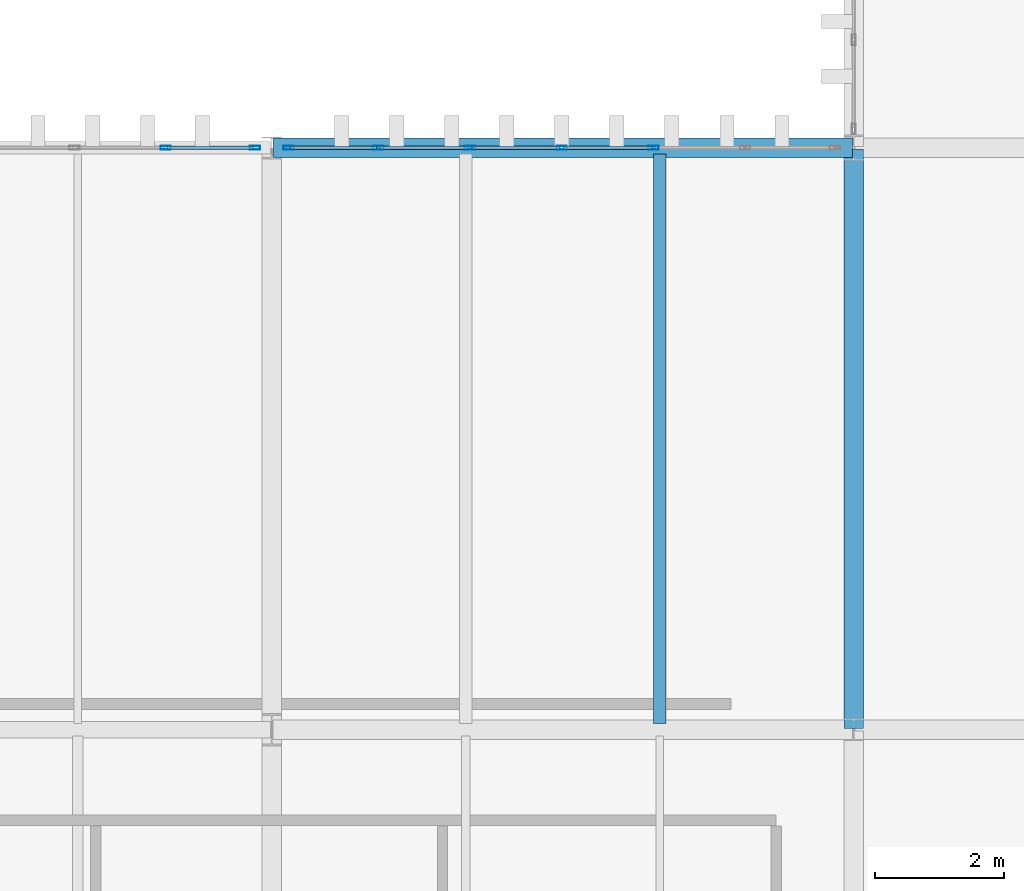
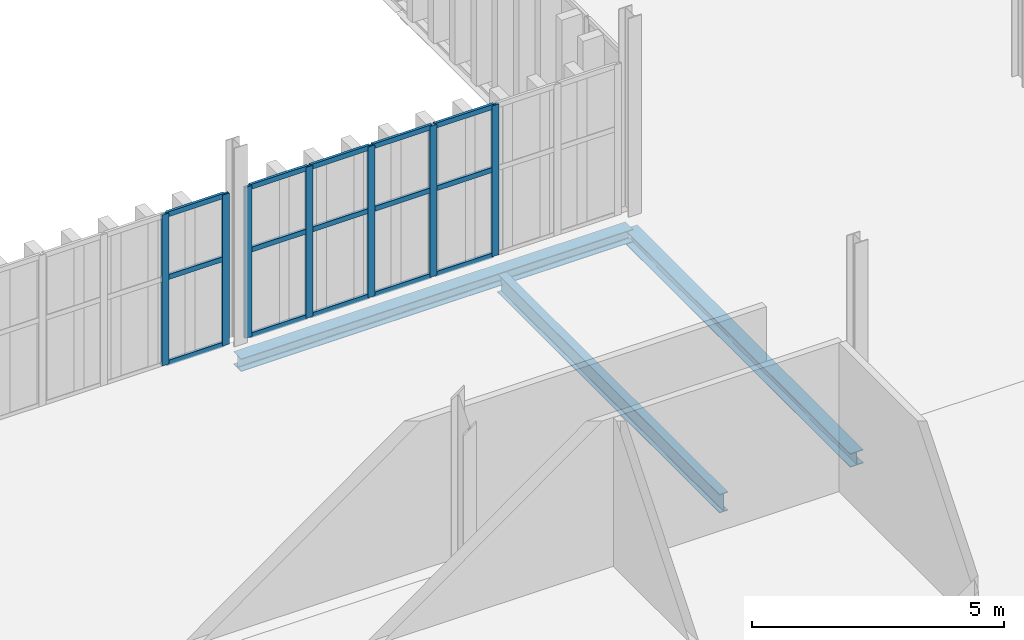
# One storey, part 121 of 196: 22 members, 3 beams, 2 elements without a shape of their own.
"""IFC4 building model written with IfcOpenShell, lengths in metres."""

from ifc_helpers import new_model, si_unit, direction, frame, origin, origin_2d, place, context, subcontext, project, spatial, hollow_rectangle, i_section, extrude, material, layer, layer_set, material_profile, profile_set, type_object, element, aggregate, save


model = new_model("IFC4")

# Units and contexts
model_context = context("Model", 3, precision=1e-05, world=origin(), true_north=direction((0.0, 1.0)))
body_context = subcontext(model_context, "Body", "Model", "MODEL_VIEW")
ifc_project = project(units=[si_unit("LENGTHUNIT", "METRE"), si_unit("AREAUNIT", "SQUARE_METRE"), si_unit("VOLUMEUNIT", "CUBIC_METRE"), si_unit("PLANEANGLEUNIT", "RADIAN"), si_unit("MASSUNIT", "GRAM", prefix="KILO")], contexts=[model_context])

# Site, building, storey
site_placement = place(None, origin())
site = spatial("IfcSite", under=ifc_project, at=site_placement, CompositionType="ELEMENT")
building_placement = place(site_placement, origin())
building = spatial("IfcBuilding", under=site, at=building_placement, Name="Barlavento Convention Centre", CompositionType="ELEMENT")
storey_placement = place(building_placement, frame((0.0, 0.0, 18.0)))
storey = spatial("IfcBuildingStorey", under=building, at=storey_placement, Name="L03", CompositionType="ELEMENT", Elevation=18.0)

# Curtain wall, members
ifc_material_1 = material(Name="Powder-coated aluminium and Low-E glass", Category="aluminium")
ifc_layer = layer(ifc_material_1, 0.179931640625)
ifc_layer_set = layer_set([ifc_layer], Name="ARC-CW-PATIO-B")
curtain_wall_type = type_object("IfcCurtainWallType", Name="ARC-CW-PATIO-B", PredefinedType="NOTDEFINED", material=ifc_layer_set)
curtain_wall_1_placement = place(storey_placement, origin())
curtain_wall_1 = element("IfcCurtainWall", 1, at=curtain_wall_1_placement, inside=storey, type_object=curtain_wall_type, Name="L03 unitised curtain wall CW12", PredefinedType="NOTDEFINED")
ifc_material_2 = material(Name="Powder-coated aluminium", Category="aluminium")
ifc_material_profile_1 = material_profile(ifc_material_2, hollow_rectangle(XDim=0.06005859375, YDim=0.159912109375, WallThickness=0.00390625, at=origin_2d()), Name="AL-MULL 60x160x4")
ifc_profile_set_1 = profile_set([ifc_material_profile_1], Name="Powder-coated aluminium")
member_type_1 = type_object("IfcMemberType", Name="ARC-CWM-60X160", PredefinedType="MULLION", material=ifc_profile_set_1)
member_1_placement = place(storey_placement, frame((160.360107421875, 63.0, 0.0), z_axis=(0.0, 0.0, 1.0), x_axis=(0.0, 1.0, 0.0)))
member_1 = element("IfcMember", 2, at=member_1_placement, type_object=member_type_1, Name="CW12 mullion 6", PredefinedType="MULLION", context=body_context, shape_type="SweptSolid", body=[
    extrude(hollow_rectangle(XDim=0.06005859375, YDim=0.159912109375, WallThickness=0.00390625, at=origin_2d()), origin(), (0.0, 0.0, 1.0), 3.64990234375),
])
member_2_placement = place(storey_placement, frame((161.739990234375, 63.0, 0.0), z_axis=(0.0, 0.0, 1.0), x_axis=(0.0, 1.0, 0.0)))
member_2 = element("IfcMember", 3, at=member_2_placement, type_object=member_type_1, Name="CW12 mullion 7", PredefinedType="MULLION", context=body_context, shape_type="SweptSolid", body=[
    extrude(hollow_rectangle(XDim=0.06005859375, YDim=0.159912109375, WallThickness=0.00390625, at=origin_2d()), origin(), (0.0, 0.0, 1.0), 3.64990234375),
])

curtain_wall_2_placement = place(storey_placement, origin())
curtain_wall_2 = element("IfcCurtainWall", 4, at=curtain_wall_2_placement, inside=storey, type_object=curtain_wall_type, Name="L03 unitised curtain wall CW12", PredefinedType="NOTDEFINED")
member_3_placement = place(storey_placement, frame((162.260009765625, 63.0, 0.0), z_axis=(0.0, 0.0, 1.0), x_axis=(0.0, 1.0, 0.0)))
member_3 = element("IfcMember", 5, at=member_3_placement, type_object=member_type_1, Name="CW12 mullion 1", PredefinedType="MULLION", context=body_context, shape_type="SweptSolid", body=[
    extrude(hollow_rectangle(XDim=0.06005859375, YDim=0.159912109375, WallThickness=0.00390625, at=origin_2d()), origin(), (0.0, 0.0, 1.0), 3.64990234375),
])
member_4_placement = place(storey_placement, frame((163.6484375, 63.0, 0.0), z_axis=(0.0, 0.0, 1.0), x_axis=(0.0, 1.0, 0.0)))
member_4 = element("IfcMember", 6, at=member_4_placement, type_object=member_type_1, Name="CW12 mullion 2", PredefinedType="MULLION", context=body_context, shape_type="SweptSolid", body=[
    extrude(hollow_rectangle(XDim=0.06005859375, YDim=0.159912109375, WallThickness=0.00390625, at=origin_2d()), origin(), (0.0, 0.0, 1.0), 3.64990234375),
])
member_5_placement = place(storey_placement, frame((165.066650390625, 63.0, 0.0), z_axis=(0.0, 0.0, 1.0), x_axis=(0.0, 1.0, 0.0)))
member_5 = element("IfcMember", 7, at=member_5_placement, type_object=member_type_1, Name="CW12 mullion 3", PredefinedType="MULLION", context=body_context, shape_type="SweptSolid", body=[
    extrude(hollow_rectangle(XDim=0.06005859375, YDim=0.159912109375, WallThickness=0.00390625, at=origin_2d()), origin(), (0.0, 0.0, 1.0), 3.64990234375),
])
member_6_placement = place(storey_placement, frame((166.485107421875, 63.0, 0.0), z_axis=(0.0, 0.0, 1.0), x_axis=(0.0, 1.0, 0.0)))
member_6 = element("IfcMember", 8, at=member_6_placement, type_object=member_type_1, Name="CW12 mullion 4", PredefinedType="MULLION", context=body_context, shape_type="SweptSolid", body=[
    extrude(hollow_rectangle(XDim=0.06005859375, YDim=0.159912109375, WallThickness=0.00390625, at=origin_2d()), origin(), (0.0, 0.0, 1.0), 3.64990234375),
])
member_7_placement = place(storey_placement, frame((167.9033203125, 63.0, 0.0), z_axis=(0.0, 0.0, 1.0), x_axis=(0.0, 1.0, 0.0)))
member_7 = element("IfcMember", 9, at=member_7_placement, type_object=member_type_1, Name="CW12 mullion 5", PredefinedType="MULLION", context=body_context, shape_type="SweptSolid", body=[
    extrude(hollow_rectangle(XDim=0.06005859375, YDim=0.159912109375, WallThickness=0.00390625, at=origin_2d()), origin(), (0.0, 0.0, 1.0), 3.64990234375),
])

# Member
ifc_material_profile_2 = material_profile(ifc_material_2, hollow_rectangle(XDim=0.06005859375, YDim=0.1201171875, WallThickness=0.00390625, at=origin_2d()), Name="AL-TRAN 60x120x4")
ifc_profile_set_2 = profile_set([ifc_material_profile_2], Name="Powder-coated aluminium")
member_type_2 = type_object("IfcMemberType", Name="ARC-CWT-60X120", PredefinedType="USERDEFINED", material=ifc_profile_set_2)
member_8_placement = place(storey_placement, frame((160.389892578125, 63.0, 0.030029296875), z_axis=(1.0, 0.0, 0.0), x_axis=(0.0, 1.0, 0.0)))
member_8 = element("IfcMember", 10, at=member_8_placement, type_object=member_type_2, Name="CW12 transom 6.1", ObjectType="TRANSOM", PredefinedType="USERDEFINED", context=body_context, shape_type="SweptSolid", body=[
    extrude(hollow_rectangle(XDim=0.06005859375, YDim=0.1201171875, WallThickness=0.00390625, at=origin_2d()), origin(), (0.0, 0.0, 1.0), 1.320068359375),
])

member_9_placement = place(storey_placement, frame((160.389892578125, 63.0, 2.10009765625), z_axis=(1.0, 0.0, 0.0), x_axis=(0.0, 1.0, 0.0)))
member_9 = element("IfcMember", 11, at=member_9_placement, type_object=member_type_2, Name="CW12 transom 6.2", ObjectType="TRANSOM", PredefinedType="USERDEFINED", context=body_context, shape_type="SweptSolid", body=[
    extrude(hollow_rectangle(XDim=0.06005859375, YDim=0.1201171875, WallThickness=0.00390625, at=origin_2d()), origin(), (0.0, 0.0, 1.0), 1.320068359375),
])

member_10_placement = place(storey_placement, frame((160.389892578125, 63.0, 3.6201171875), z_axis=(1.0, 0.0, 0.0), x_axis=(0.0, 1.0, 0.0)))
member_10 = element("IfcMember", 12, at=member_10_placement, type_object=member_type_2, Name="CW12 transom 6.3", ObjectType="TRANSOM", PredefinedType="USERDEFINED", context=body_context, shape_type="SweptSolid", body=[
    extrude(hollow_rectangle(XDim=0.06005859375, YDim=0.1201171875, WallThickness=0.00390625, at=origin_2d()), origin(), (0.0, 0.0, 1.0), 1.320068359375),
])

aggregate(curtain_wall_1, [member_1, member_2, member_8, member_9, member_10])

member_11_placement = place(storey_placement, frame((162.2900390625, 63.0, 0.030029296875), z_axis=(1.0, 0.0, 0.0), x_axis=(0.0, 1.0, 0.0)))
member_11 = element("IfcMember", 13, at=member_11_placement, type_object=member_type_2, Name="CW12 transom 1.1", ObjectType="TRANSOM", PredefinedType="USERDEFINED", context=body_context, shape_type="SweptSolid", body=[
    extrude(hollow_rectangle(XDim=0.06005859375, YDim=0.1201171875, WallThickness=0.00390625, at=origin_2d()), origin(), (0.0, 0.0, 1.0), 1.328369140625),
])

member_12_placement = place(storey_placement, frame((162.2900390625, 63.0, 2.10009765625), z_axis=(1.0, 0.0, 0.0), x_axis=(0.0, 1.0, 0.0)))
member_12 = element("IfcMember", 14, at=member_12_placement, type_object=member_type_2, Name="CW12 transom 1.2", ObjectType="TRANSOM", PredefinedType="USERDEFINED", context=body_context, shape_type="SweptSolid", body=[
    extrude(hollow_rectangle(XDim=0.06005859375, YDim=0.1201171875, WallThickness=0.00390625, at=origin_2d()), origin(), (0.0, 0.0, 1.0), 1.328369140625),
])

member_13_placement = place(storey_placement, frame((162.2900390625, 63.0, 3.6201171875), z_axis=(1.0, 0.0, 0.0), x_axis=(0.0, 1.0, 0.0)))
member_13 = element("IfcMember", 15, at=member_13_placement, type_object=member_type_2, Name="CW12 transom 1.3", ObjectType="TRANSOM", PredefinedType="USERDEFINED", context=body_context, shape_type="SweptSolid", body=[
    extrude(hollow_rectangle(XDim=0.06005859375, YDim=0.1201171875, WallThickness=0.00390625, at=origin_2d()), origin(), (0.0, 0.0, 1.0), 1.328369140625),
])

member_14_placement = place(storey_placement, frame((163.67822265625, 63.0, 0.030029296875), z_axis=(1.0, 0.0, 0.0), x_axis=(0.0, 1.0, 0.0)))
member_14 = element("IfcMember", 16, at=member_14_placement, type_object=member_type_2, Name="CW12 transom 2.1", ObjectType="TRANSOM", PredefinedType="USERDEFINED", context=body_context, shape_type="SweptSolid", body=[
    extrude(hollow_rectangle(XDim=0.06005859375, YDim=0.1201171875, WallThickness=0.00390625, at=origin_2d()), origin(), (0.0, 0.0, 1.0), 1.3583984375),
])

member_15_placement = place(storey_placement, frame((163.67822265625, 63.0, 2.10009765625), z_axis=(1.0, 0.0, 0.0), x_axis=(0.0, 1.0, 0.0)))
member_15 = element("IfcMember", 17, at=member_15_placement, type_object=member_type_2, Name="CW12 transom 2.2", ObjectType="TRANSOM", PredefinedType="USERDEFINED", context=body_context, shape_type="SweptSolid", body=[
    extrude(hollow_rectangle(XDim=0.06005859375, YDim=0.1201171875, WallThickness=0.00390625, at=origin_2d()), origin(), (0.0, 0.0, 1.0), 1.3583984375),
])

member_16_placement = place(storey_placement, frame((163.67822265625, 63.0, 3.6201171875), z_axis=(1.0, 0.0, 0.0), x_axis=(0.0, 1.0, 0.0)))
member_16 = element("IfcMember", 18, at=member_16_placement, type_object=member_type_2, Name="CW12 transom 2.3", ObjectType="TRANSOM", PredefinedType="USERDEFINED", context=body_context, shape_type="SweptSolid", body=[
    extrude(hollow_rectangle(XDim=0.06005859375, YDim=0.1201171875, WallThickness=0.00390625, at=origin_2d()), origin(), (0.0, 0.0, 1.0), 1.3583984375),
])

member_17_placement = place(storey_placement, frame((165.0966796875, 63.0, 0.030029296875), z_axis=(1.0, 0.0, 0.0), x_axis=(0.0, 1.0, 0.0)))
member_17 = element("IfcMember", 19, at=member_17_placement, type_object=member_type_2, Name="CW12 transom 3.1", ObjectType="TRANSOM", PredefinedType="USERDEFINED", context=body_context, shape_type="SweptSolid", body=[
    extrude(hollow_rectangle(XDim=0.06005859375, YDim=0.1201171875, WallThickness=0.00390625, at=origin_2d()), origin(), (0.0, 0.0, 1.0), 1.3583984375),
])

member_18_placement = place(storey_placement, frame((165.0966796875, 63.0, 2.10009765625), z_axis=(1.0, 0.0, 0.0), x_axis=(0.0, 1.0, 0.0)))
member_18 = element("IfcMember", 20, at=member_18_placement, type_object=member_type_2, Name="CW12 transom 3.2", ObjectType="TRANSOM", PredefinedType="USERDEFINED", context=body_context, shape_type="SweptSolid", body=[
    extrude(hollow_rectangle(XDim=0.06005859375, YDim=0.1201171875, WallThickness=0.00390625, at=origin_2d()), origin(), (0.0, 0.0, 1.0), 1.3583984375),
])

member_19_placement = place(storey_placement, frame((165.0966796875, 63.0, 3.6201171875), z_axis=(1.0, 0.0, 0.0), x_axis=(0.0, 1.0, 0.0)))
member_19 = element("IfcMember", 21, at=member_19_placement, type_object=member_type_2, Name="CW12 transom 3.3", ObjectType="TRANSOM", PredefinedType="USERDEFINED", context=body_context, shape_type="SweptSolid", body=[
    extrude(hollow_rectangle(XDim=0.06005859375, YDim=0.1201171875, WallThickness=0.00390625, at=origin_2d()), origin(), (0.0, 0.0, 1.0), 1.3583984375),
])

member_20_placement = place(storey_placement, frame((166.514892578125, 63.0, 0.030029296875), z_axis=(1.0, 0.0, 0.0), x_axis=(0.0, 1.0, 0.0)))
member_20 = element("IfcMember", 22, at=member_20_placement, type_object=member_type_2, Name="CW12 transom 4.1", ObjectType="TRANSOM", PredefinedType="USERDEFINED", context=body_context, shape_type="SweptSolid", body=[
    extrude(hollow_rectangle(XDim=0.06005859375, YDim=0.1201171875, WallThickness=0.00390625, at=origin_2d()), origin(), (0.0, 0.0, 1.0), 1.3583984375),
])

member_21_placement = place(storey_placement, frame((166.514892578125, 63.0, 2.10009765625), z_axis=(1.0, 0.0, 0.0), x_axis=(0.0, 1.0, 0.0)))
member_21 = element("IfcMember", 23, at=member_21_placement, type_object=member_type_2, Name="CW12 transom 4.2", ObjectType="TRANSOM", PredefinedType="USERDEFINED", context=body_context, shape_type="SweptSolid", body=[
    extrude(hollow_rectangle(XDim=0.06005859375, YDim=0.1201171875, WallThickness=0.00390625, at=origin_2d()), origin(), (0.0, 0.0, 1.0), 1.3583984375),
])

member_22_placement = place(storey_placement, frame((166.514892578125, 63.0, 3.6201171875), z_axis=(1.0, 0.0, 0.0), x_axis=(0.0, 1.0, 0.0)))
member_22 = element("IfcMember", 24, at=member_22_placement, type_object=member_type_2, Name="CW12 transom 4.3", ObjectType="TRANSOM", PredefinedType="USERDEFINED", context=body_context, shape_type="SweptSolid", body=[
    extrude(hollow_rectangle(XDim=0.06005859375, YDim=0.1201171875, WallThickness=0.00390625, at=origin_2d()), origin(), (0.0, 0.0, 1.0), 1.3583984375),
])

aggregate(curtain_wall_2, [member_3, member_4, member_5, member_6, member_7, member_11, member_12, member_13, member_14, member_15, member_16, member_17, member_18, member_19, member_20, member_21, member_22])

# Beams
ifc_material_3 = material(Name="Steel S355", Category="steel")
ifc_material_profile_3 = material_profile(ifc_material_3, i_section(OverallWidth=0.18994140625, OverallDepth=0.449951171875, WebThickness=0.009521484375, FlangeThickness=0.0146484375, FilletRadius=0.02099609375, at=origin_2d()), Name="IPE 450")
ifc_profile_set_3 = profile_set([ifc_material_profile_3], Name="Steel S355")
beam_type_1 = type_object("IfcBeamType", Name="STR-BM-JST-IPE450", PredefinedType="JOIST", material=ifc_profile_set_3)
beam_1_placement = place(storey_placement, frame((168.0, 54.094970703125, -0.614990234375), z_axis=(0.0, 1.0, 0.0), x_axis=(-1.0, 0.0, 0.0)))
element("IfcBeam", 25, at=beam_1_placement, inside=storey, type_object=beam_type_1, Name="L03 composite floor joist SJ03", PredefinedType="JOIST", context=body_context, shape_type="SweptSolid", body=[
    extrude(i_section(OverallWidth=0.18994140625, OverallDepth=0.449951171875, WebThickness=0.009521484375, FlangeThickness=0.0146484375, FilletRadius=0.02099609375, at=origin_2d()), origin(), (0.0, 0.0, 1.0), 8.81005859375),
])
ifc_material_profile_4 = material_profile(ifc_material_3, i_section(OverallWidth=0.300048828125, OverallDepth=0.330078125, WebThickness=0.009521484375, FlangeThickness=0.0166015625, FilletRadius=0.027099609375, at=origin_2d()), Name="HEA 340")
ifc_profile_set_4 = profile_set([ifc_material_profile_4], Name="Steel S355")
beam_type_2 = type_object("IfcBeamType", Name="STR-BM-PRI-HEA340", PredefinedType="BEAM", material=ifc_profile_set_4)
beam_2_placement = place(storey_placement, frame((171.0, 54.02001953125, -0.554931640625), z_axis=(0.0, 1.0, 0.0), x_axis=(-1.0, 0.0, 0.0)))
element("IfcBeam", 26, at=beam_2_placement, inside=storey, type_object=beam_type_2, Name="L03 grid girder BG24", PredefinedType="BEAM", context=body_context, shape_type="SweptSolid", body=[
    extrude(i_section(OverallWidth=0.300048828125, OverallDepth=0.330078125, WebThickness=0.009521484375, FlangeThickness=0.0166015625, FilletRadius=0.027099609375, at=origin_2d()), origin(), (0.0, 0.0, 1.0), 8.9599609375),
])
ifc_material_profile_5 = material_profile(ifc_material_3, i_section(OverallWidth=0.300048828125, OverallDepth=0.31005859375, WebThickness=0.009033203125, FlangeThickness=0.015380859375, FilletRadius=0.027099609375, at=origin_2d()), Name="HEA 320")
ifc_profile_set_5 = profile_set([ifc_material_profile_5], Name="Steel S355")
beam_type_3 = type_object("IfcBeamType", Name="STR-BM-SPN-HEA320", PredefinedType="SPANDREL", material=ifc_profile_set_5)
beam_3_placement = place(storey_placement, frame((162.02001953125, 63.0, -0.514892578125), z_axis=(1.0, 0.0, 0.0), x_axis=(0.0, 1.0, 0.0)))
element("IfcBeam", 27, at=beam_3_placement, inside=storey, type_object=beam_type_3, Name="L03 primary girder SP01", PredefinedType="SPANDREL", context=body_context, shape_type="SweptSolid", body=[
    extrude(i_section(OverallWidth=0.300048828125, OverallDepth=0.31005859375, WebThickness=0.009033203125, FlangeThickness=0.015380859375, FilletRadius=0.027099609375, at=origin_2d()), origin(), (0.0, 0.0, 1.0), 8.9599609375),
])

save(model, "model.ifc")
